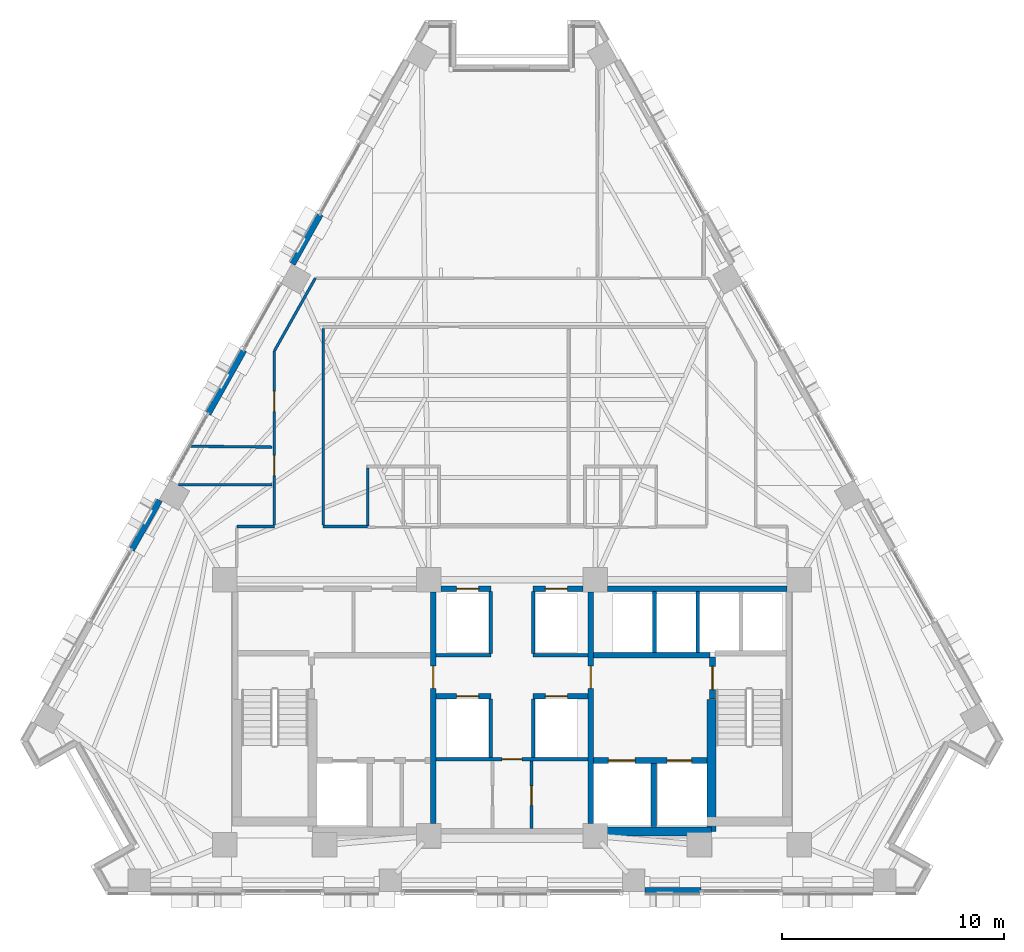
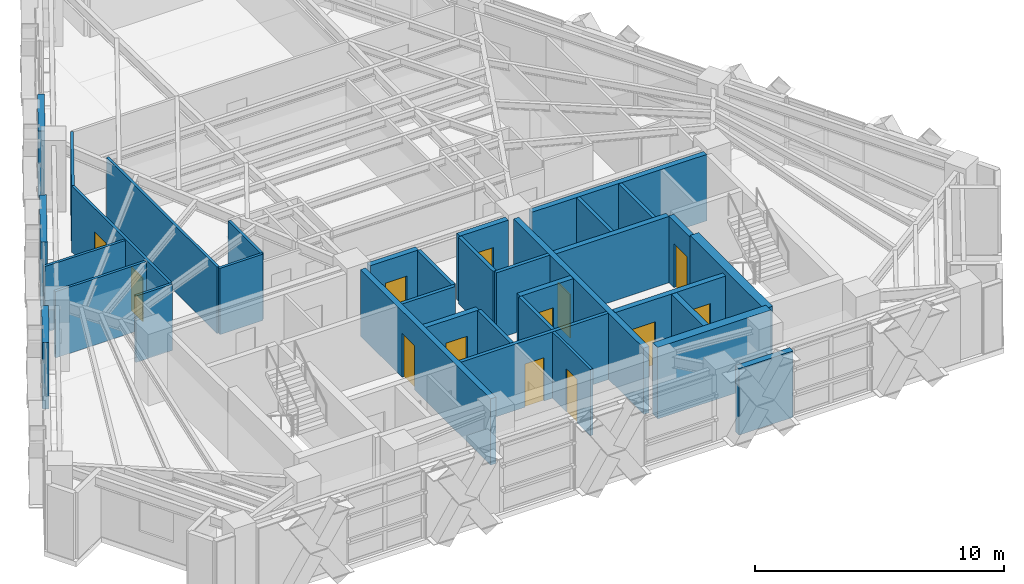
# One storey, part 8 of 14: 35 walls, 13 doors, 13 openings.
"""IFC4 building model written with IfcOpenShell, lengths in metres."""

from ifc_helpers import new_model, si_unit, direction, frame, frame_2d, origin, place, context, subcontext, project, spatial, rectangle, extrude, material, layer, layer_set, type_object, element, fill, save


model = new_model("IFC4")

# Units and contexts
model_context = context("Model", 3, precision=1e-05, world=origin(), true_north=direction((0.0, 1.0)))
body_context = subcontext(model_context, "Body", "Model", "MODEL_VIEW")
ifc_project = project(units=[si_unit("LENGTHUNIT", "METRE"), si_unit("AREAUNIT", "SQUARE_METRE"), si_unit("VOLUMEUNIT", "CUBIC_METRE"), si_unit("PLANEANGLEUNIT", "RADIAN"), si_unit("MASSUNIT", "GRAM", prefix="KILO")], contexts=[model_context])

# Site, building, storey
site_placement = place(None, origin())
site = spatial("IfcSite", under=ifc_project, at=site_placement, CompositionType="ELEMENT")
building_placement = place(site_placement, origin())
building = spatial("IfcBuilding", under=site, at=building_placement, Name="Quenlor Broadcast Tower", CompositionType="ELEMENT")
storey_placement = place(building_placement, frame((0.0, 0.0, 154.5)))
storey = spatial("IfcBuildingStorey", under=building, at=storey_placement, Name="L42", CompositionType="ELEMENT", Elevation=154.5)

# Walls
ifc_material_1 = material(Name="Concrete C50/60", Category="concrete")
ifc_layer_1 = layer(ifc_material_1, 0.39990234375)
ifc_layer_set_1 = layer_set([ifc_layer_1], Name="Core Concrete C50/60 Shear Wall 400")
wall_type_1 = type_object("IfcWallType", Name="Core Concrete C50/60 Shear Wall 400", PredefinedType="SHEAR", material=ifc_layer_set_1)
wall_1_placement = place(storey_placement, frame((3.75, -16.14990234375, 0.0), z_axis=(0.0, 0.0, 1.0), x_axis=(1.0, 0.0, 0.0)))
element("IfcWall", 1, at=wall_1_placement, inside=storey, type_object=wall_type_1, Name="L42 Core Shear Wall WS-E1", PredefinedType="SHEAR", context=body_context, shape_type="SweptSolid", body=[
    extrude(rectangle(XDim=5.25, YDim=0.39990234375, at=frame_2d((2.625, 0.0))), origin(), (0.0, 0.0, 1.0), 3.5),
])
wall_2_placement = place(storey_placement, frame((9.0, -16.14990234375, 0.0), z_axis=(0.0, 0.0, 1.0), x_axis=(0.0, 1.0, 0.0)))
element("IfcWall", 2, at=wall_2_placement, inside=storey, type_object=wall_type_1, Name="L42 Core Shear Wall WI-E", PredefinedType="SHEAR", context=body_context, shape_type="SweptSolid", body=[
    extrude(rectangle(XDim=5.949951171875, YDim=0.39990234375, at=frame_2d((2.97509765625, 0.0))), origin(), (0.0, 0.0, 1.0), 3.5),
])

# Wall, opening, door
ifc_material_2 = material(Name="Concrete C40/50", Category="concrete")
ifc_layer_2 = layer(ifc_material_2, 0.25)
ifc_layer_set_2 = layer_set([ifc_layer_2], Name="Fire Rated Concrete C40/50 Core Wall 250")
wall_type_2 = type_object("IfcWallType", Name="Fire Rated Concrete C40/50 Core Wall 250", PredefinedType="PARTITIONING", material=ifc_layer_set_2)
wall_3_placement = place(storey_placement, frame((9.0400390625, -10.179931640625, 0.0), z_axis=(0.0, 0.0, 1.0), x_axis=(0.0, 1.0, 0.0)))
wall_3 = element("IfcWall", 3, at=wall_3_placement, inside=storey, type_object=wall_type_2, Name="L42 Interior Wall CW-ST2-DR", PredefinedType="PARTITIONING", context=body_context, shape_type="SweptSolid", body=[
    extrude(rectangle(XDim=1.89990234375, YDim=0.25, at=frame_2d((0.949951171875, 0.0))), origin(), (0.0, 0.0, 1.0), 3.25),
])
opening_1_placement = place(wall_3_placement, frame((0.419921875, 0.0, 0.0)))
opening_1 = element("IfcOpeningElement", 4, at=opening_1_placement, cuts=wall_3, Name="Opening FD-1", PredefinedType="OPENING", context=body_context, shape_type="SweptSolid", body=[
    extrude(rectangle(XDim=1.050048828125, YDim=2.14990234375, at=frame_2d((0.52490234375, 1.074951171875))), frame((0.0, 0.135009765625, 0.0), z_axis=(0.0, -1.0, 0.0), x_axis=(1.0, 0.0, 0.0)), (0.0, 0.0, 1.0), 0.27001953125),
])
ifc_material_3 = material(Name="Fire Rated Steel Door Leaf", Category="steel")
door_type_1 = type_object("IfcDoorType", Name="Fire Isolated Stair Door 1050x2150", OperationType="NOTDEFINED", PredefinedType="DOOR", material=ifc_material_3)
door_1_placement = place(opening_1_placement, origin())
door_1 = element("IfcDoor", 5, at=door_1_placement, inside=storey, type_object=door_type_1, Name="L42 Door DR-ST2", OperationType="SINGLE_SWING_RIGHT", OverallHeight=2.14990234375, OverallWidth=1.050048828125, PredefinedType="DOOR", context=body_context, shape_type="SweptSolid", body=[
    extrude(rectangle(XDim=1.050048828125, YDim=2.14990234375, at=frame_2d((0.52490234375, 1.074951171875))), frame((0.0, 0.02490234375, 0.0), z_axis=(0.0, -1.0, 0.0), x_axis=(1.0, 0.0, 0.0)), (0.0, 0.0, 1.0), 0.050048828125),
])
fill(opening_1, door_1)

# Wall, openings, doors
wall_4_placement = place(storey_placement, frame((3.679931640625, -12.949951171875, 0.0), z_axis=(0.0, 0.0, 1.0), x_axis=(1.0, 0.0, 0.0)))
wall_4 = element("IfcWall", 6, at=wall_4_placement, inside=storey, type_object=wall_type_2, Name="L42 Interior Wall CW-FFE-S", PredefinedType="PARTITIONING", context=body_context, shape_type="SweptSolid", body=[
    extrude(rectangle(XDim=5.1181640625, YDim=0.25, at=frame_2d((2.55908203125, 0.0))), origin(), (0.0, 0.0, 1.0), 3.25),
])
opening_2_placement = place(wall_4_placement, frame((3.320068359375, 0.0, 0.0)))
opening_2 = element("IfcOpeningElement", 7, at=opening_2_placement, cuts=wall_4, Name="Opening LD-FFL-2", PredefinedType="OPENING", context=body_context, shape_type="SweptSolid", body=[
    extrude(rectangle(XDim=1.10009765625, YDim=2.14990234375, at=frame_2d((0.550048828125, 1.074951171875))), frame((0.0, 0.135009765625, 0.0), z_axis=(0.0, -1.0, 0.0), x_axis=(1.0, 0.0, 0.0)), (0.0, 0.0, 1.0), 0.27001953125),
])
opening_3_placement = place(wall_4_placement, frame((0.669921875, 0.0, 0.0)))
opening_3 = element("IfcOpeningElement", 8, at=opening_3_placement, cuts=wall_4, Name="Opening LD-SVL-1", PredefinedType="OPENING", context=body_context, shape_type="SweptSolid", body=[
    extrude(rectangle(XDim=1.199951171875, YDim=2.14990234375, at=frame_2d((0.60009765625, 1.074951171875))), frame((0.0, 0.135009765625, 0.0), z_axis=(0.0, -1.0, 0.0), x_axis=(1.0, 0.0, 0.0)), (0.0, 0.0, 1.0), 0.27001953125),
])
ifc_material_4 = material(Name="Brushed Stainless Steel", Category="steel")
door_type_2 = type_object("IfcDoorType", Name="Emergency Lift Sliding Landing Door 1100x2150", OperationType="NOTDEFINED", PredefinedType="DOOR", material=ifc_material_4)
door_2_placement = place(opening_2_placement, origin())
door_2 = element("IfcDoor", 9, at=door_2_placement, inside=storey, type_object=door_type_2, Name="L42 Door LD-FFL-2", OperationType="SLIDING_TO_RIGHT", OverallHeight=2.14990234375, OverallWidth=1.10009765625, PredefinedType="DOOR", context=body_context, shape_type="SweptSolid", body=[
    extrude(rectangle(XDim=1.10009765625, YDim=2.14990234375, at=frame_2d((0.550048828125, 1.074951171875))), frame((0.0, 0.02490234375, 0.0), z_axis=(0.0, -1.0, 0.0), x_axis=(1.0, 0.0, 0.0)), (0.0, 0.0, 1.0), 0.050048828125),
])
fill(opening_2, door_2)
ifc_material_5 = material(Name="Brushed Stainless Steel", Category="steel")
door_type_3 = type_object("IfcDoorType", Name="Goods Lift Sliding Landing Door 1200x2150", OperationType="NOTDEFINED", PredefinedType="DOOR", material=ifc_material_5)
door_3_placement = place(opening_3_placement, origin())
door_3 = element("IfcDoor", 10, at=door_3_placement, inside=storey, type_object=door_type_3, Name="L42 Door LD-SVL-1", OperationType="SLIDING_TO_LEFT", OverallHeight=2.14990234375, OverallWidth=1.199951171875, PredefinedType="DOOR", context=body_context, shape_type="SweptSolid", body=[
    extrude(rectangle(XDim=1.199951171875, YDim=2.14990234375, at=frame_2d((0.60009765625, 1.074951171875))), frame((0.0, 0.02490234375, 0.0), z_axis=(0.0, -1.0, 0.0), x_axis=(1.0, 0.0, 0.0)), (0.0, 0.0, 1.0), 0.050048828125),
])
fill(opening_3, door_3)

# Walls
wall_5_placement = place(storey_placement, frame((6.39990234375, -15.919921875, 0.0), z_axis=(0.0, 0.0, 1.0), x_axis=(0.0, 1.0, 0.0)))
element("IfcWall", 11, at=wall_5_placement, inside=storey, type_object=wall_type_2, Name="L42 Interior Wall CW-SV1-E", PredefinedType="PARTITIONING", context=body_context, shape_type="SweptSolid", body=[
    extrude(rectangle(XDim=2.829833984375, YDim=0.25, at=frame_2d((1.4150390625, 0.0))), origin(), (0.0, 0.0, 1.0), 3.25),
])
wall_6_placement = place(storey_placement, frame((3.679931640625, -8.199951171875, 0.0), z_axis=(0.0, 0.0, 1.0), x_axis=(1.0, 0.0, 0.0)))
element("IfcWall", 12, at=wall_6_placement, inside=storey, type_object=wall_type_2, Name="L42 Interior Wall CW-FFE-N", PredefinedType="PARTITIONING", context=body_context, shape_type="SweptSolid", body=[
    extrude(rectangle(XDim=5.239990234375, YDim=0.25, at=frame_2d((2.6201171875, 0.0))), origin(), (0.0, 0.0, 1.0), 3.25),
])

# Wall, opening, door
wall_7_placement = place(storey_placement, frame((-3.550048828125, -15.798095703125, 0.0), z_axis=(0.0, 0.0, 1.0), x_axis=(0.0, 1.0, 0.0)))
wall_7 = element("IfcWall", 13, at=wall_7_placement, inside=storey, type_object=wall_type_2, Name="L42 Interior Wall CW-FFW-E", PredefinedType="PARTITIONING", context=body_context, shape_type="SweptSolid", body=[
    extrude(rectangle(XDim=10.446044921875, YDim=0.25, at=frame_2d((5.22314453125, 0.0))), origin(), (0.0, 0.0, 1.0), 3.25),
])
opening_4_placement = place(wall_7_placement, frame((6.097900390625, 0.0, 0.0)))
opening_4 = element("IfcOpeningElement", 14, at=opening_4_placement, cuts=wall_7, Name="Opening FD-2", PredefinedType="OPENING", context=body_context, shape_type="SweptSolid", body=[
    extrude(rectangle(XDim=1.0, YDim=2.14990234375, at=frame_2d((0.5, 1.074951171875))), frame((0.0, 0.135009765625, 0.0), z_axis=(0.0, -1.0, 0.0), x_axis=(1.0, 0.0, 0.0)), (0.0, 0.0, 1.0), 0.27001953125),
])
ifc_material_6 = material(Name="Fire Rated Glazed Steel Door", Category="steel")
door_type_4 = type_object("IfcDoorType", Name="Firefighting Lobby Smoke Door 1000x2150", OperationType="NOTDEFINED", PredefinedType="DOOR", material=ifc_material_6)
door_4_placement = place(opening_4_placement, origin())
door_4 = element("IfcDoor", 15, at=door_4_placement, inside=storey, type_object=door_type_4, Name="L42 Door DR-FFLW", OperationType="SINGLE_SWING_RIGHT", OverallHeight=2.14990234375, OverallWidth=1.0, PredefinedType="DOOR", context=body_context, shape_type="SweptSolid", body=[
    extrude(rectangle(XDim=1.0, YDim=2.14990234375, at=frame_2d((0.5, 1.074951171875))), frame((0.0, 0.02490234375, 0.0), z_axis=(0.0, -1.0, 0.0), x_axis=(1.0, 0.0, 0.0)), (0.0, 0.0, 1.0), 0.050048828125),
])
fill(opening_4, door_4)

wall_8_placement = place(storey_placement, frame((3.550048828125, -15.798095703125, 0.0), z_axis=(0.0, 0.0, 1.0), x_axis=(0.0, 1.0, 0.0)))
wall_8 = element("IfcWall", 16, at=wall_8_placement, inside=storey, type_object=wall_type_2, Name="L42 Interior Wall CW-FFE-W", PredefinedType="PARTITIONING", context=body_context, shape_type="SweptSolid", body=[
    extrude(rectangle(XDim=10.446044921875, YDim=0.25, at=frame_2d((5.22314453125, 0.0))), origin(), (0.0, 0.0, 1.0), 3.25),
])
opening_5_placement = place(wall_8_placement, frame((6.097900390625, 0.0, 0.0)))
opening_5 = element("IfcOpeningElement", 17, at=opening_5_placement, cuts=wall_8, Name="Opening FD-2", PredefinedType="OPENING", context=body_context, shape_type="SweptSolid", body=[
    extrude(rectangle(XDim=1.0, YDim=2.14990234375, at=frame_2d((0.5, 1.074951171875))), frame((0.0, 0.135009765625, 0.0), z_axis=(0.0, -1.0, 0.0), x_axis=(1.0, 0.0, 0.0)), (0.0, 0.0, 1.0), 0.27001953125),
])
door_5_placement = place(opening_5_placement, origin())
door_5 = element("IfcDoor", 18, at=door_5_placement, inside=storey, type_object=door_type_4, Name="L42 Door DR-FFLE", OperationType="SINGLE_SWING_LEFT", OverallHeight=2.14990234375, OverallWidth=1.0, PredefinedType="DOOR", context=body_context, shape_type="SweptSolid", body=[
    extrude(rectangle(XDim=1.0, YDim=2.14990234375, at=frame_2d((0.5, 1.074951171875))), frame((0.0, 0.02490234375, 0.0), z_axis=(0.0, -1.0, 0.0), x_axis=(1.0, 0.0, 0.0)), (0.0, 0.0, 1.0), 0.050048828125),
])
fill(opening_5, door_5)

# Wall
wall_9_placement = place(storey_placement, frame((4.302001953125, -5.199951171875, 0.0), z_axis=(0.0, 0.0, 1.0), x_axis=(1.0, 0.0, 0.0)))
element("IfcWall", 19, at=wall_9_placement, inside=storey, type_object=wall_type_2, Name="L42 Interior Wall CW-N-E", PredefinedType="PARTITIONING", context=body_context, shape_type="SweptSolid", body=[
    extrude(rectangle(XDim=8.095947265625, YDim=0.25, at=frame_2d((4.0478515625, 0.0))), origin(), (0.0, 0.0, 1.0), 3.25),
])

# Wall, opening, door
wall_10_placement = place(storey_placement, frame((-3.197998046875, -5.199951171875, 0.0), z_axis=(0.0, 0.0, 1.0), x_axis=(1.0, 0.0, 0.0)))
wall_10 = element("IfcWall", 20, at=wall_10_placement, inside=storey, type_object=wall_type_2, Name="L42 Interior Wall CW-N-M1", PredefinedType="PARTITIONING", context=body_context, shape_type="SweptSolid", body=[
    extrude(rectangle(XDim=2.248046875, YDim=0.25, at=frame_2d((1.1240234375, 0.0))), origin(), (0.0, 0.0, 1.0), 3.25),
])
opening_6_placement = place(wall_10_placement, frame((0.697998046875, 0.0, 0.0)))
opening_6 = element("IfcOpeningElement", 21, at=opening_6_placement, cuts=wall_10, Name="Opening LD-PL-M1", PredefinedType="OPENING", context=body_context, shape_type="SweptSolid", body=[
    extrude(rectangle(XDim=1.0, YDim=2.14990234375, at=frame_2d((0.5, 1.074951171875))), frame((0.0, 0.135009765625, 0.0), z_axis=(0.0, -1.0, 0.0), x_axis=(1.0, 0.0, 0.0)), (0.0, 0.0, 1.0), 0.27001953125),
])
ifc_material_7 = material(Name="Brushed Stainless Steel", Category="steel")
door_type_5 = type_object("IfcDoorType", Name="Passenger Lift Sliding Landing Door 1000x2150", OperationType="NOTDEFINED", PredefinedType="DOOR", material=ifc_material_7)
door_6_placement = place(opening_6_placement, origin())
door_6 = element("IfcDoor", 22, at=door_6_placement, inside=storey, type_object=door_type_5, Name="L42 Door LD-PL-M1", OperationType="SLIDING_TO_LEFT", OverallHeight=2.14990234375, OverallWidth=1.0, PredefinedType="DOOR", context=body_context, shape_type="SweptSolid", body=[
    extrude(rectangle(XDim=1.0, YDim=2.14990234375, at=frame_2d((0.5, 1.074951171875))), frame((0.0, 0.02490234375, 0.0), z_axis=(0.0, -1.0, 0.0), x_axis=(1.0, 0.0, 0.0)), (0.0, 0.0, 1.0), 0.050048828125),
])
fill(opening_6, door_6)

wall_11_placement = place(storey_placement, frame((0.949951171875, -5.199951171875, 0.0), z_axis=(0.0, 0.0, 1.0), x_axis=(1.0, 0.0, 0.0)))
wall_11 = element("IfcWall", 23, at=wall_11_placement, inside=storey, type_object=wall_type_2, Name="L42 Interior Wall CW-N-M2", PredefinedType="PARTITIONING", context=body_context, shape_type="SweptSolid", body=[
    extrude(rectangle(XDim=2.248046875, YDim=0.25, at=frame_2d((1.1240234375, 0.0))), origin(), (0.0, 0.0, 1.0), 3.25),
])
opening_7_placement = place(wall_11_placement, frame((0.550048828125, 0.0, 0.0)))
opening_7 = element("IfcOpeningElement", 24, at=opening_7_placement, cuts=wall_11, Name="Opening LD-PL-M2", PredefinedType="OPENING", context=body_context, shape_type="SweptSolid", body=[
    extrude(rectangle(XDim=1.0, YDim=2.14990234375, at=frame_2d((0.5, 1.074951171875))), frame((0.0, 0.135009765625, 0.0), z_axis=(0.0, -1.0, 0.0), x_axis=(1.0, 0.0, 0.0)), (0.0, 0.0, 1.0), 0.27001953125),
])
door_7_placement = place(opening_7_placement, origin())
door_7 = element("IfcDoor", 25, at=door_7_placement, inside=storey, type_object=door_type_5, Name="L42 Door LD-PL-M2", OperationType="SLIDING_TO_RIGHT", OverallHeight=2.14990234375, OverallWidth=1.0, PredefinedType="DOOR", context=body_context, shape_type="SweptSolid", body=[
    extrude(rectangle(XDim=1.0, YDim=2.14990234375, at=frame_2d((0.5, 1.074951171875))), frame((0.0, 0.02490234375, 0.0), z_axis=(0.0, -1.0, 0.0), x_axis=(1.0, 0.0, 0.0)), (0.0, 0.0, 1.0), 0.050048828125),
])
fill(opening_7, door_7)

wall_12_placement = place(storey_placement, frame((-3.419921875, -10.050048828125, 0.0), z_axis=(0.0, 0.0, 1.0), x_axis=(1.0, 0.0, 0.0)))
wall_12 = element("IfcWall", 26, at=wall_12_placement, inside=storey, type_object=wall_type_2, Name="L42 Interior Wall CW-MS-N1", PredefinedType="PARTITIONING", context=body_context, shape_type="SweptSolid", body=[
    extrude(rectangle(XDim=2.469970703125, YDim=0.25, at=frame_2d((1.23486328125, 0.0))), origin(), (0.0, 0.0, 1.0), 3.25),
])
opening_8_placement = place(wall_12_placement, frame((0.919921875, 0.0, 0.0)))
opening_8 = element("IfcOpeningElement", 27, at=opening_8_placement, cuts=wall_12, Name="Opening LD-PL-M3", PredefinedType="OPENING", context=body_context, shape_type="SweptSolid", body=[
    extrude(rectangle(XDim=1.0, YDim=2.14990234375, at=frame_2d((0.5, 1.074951171875))), frame((0.0, 0.135009765625, 0.0), z_axis=(0.0, -1.0, 0.0), x_axis=(1.0, 0.0, 0.0)), (0.0, 0.0, 1.0), 0.27001953125),
])
door_8_placement = place(opening_8_placement, origin())
door_8 = element("IfcDoor", 28, at=door_8_placement, inside=storey, type_object=door_type_5, Name="L42 Door LD-PL-M3", OperationType="SLIDING_TO_LEFT", OverallHeight=2.14990234375, OverallWidth=1.0, PredefinedType="DOOR", context=body_context, shape_type="SweptSolid", body=[
    extrude(rectangle(XDim=1.0, YDim=2.14990234375, at=frame_2d((0.5, 1.074951171875))), frame((0.0, 0.02490234375, 0.0), z_axis=(0.0, -1.0, 0.0), x_axis=(1.0, 0.0, 0.0)), (0.0, 0.0, 1.0), 0.050048828125),
])
fill(opening_8, door_8)

wall_13_placement = place(storey_placement, frame((0.949951171875, -10.050048828125, 0.0), z_axis=(0.0, 0.0, 1.0), x_axis=(1.0, 0.0, 0.0)))
wall_13 = element("IfcWall", 29, at=wall_13_placement, inside=storey, type_object=wall_type_2, Name="L42 Interior Wall CW-MS-N2", PredefinedType="PARTITIONING", context=body_context, shape_type="SweptSolid", body=[
    extrude(rectangle(XDim=2.469970703125, YDim=0.25, at=frame_2d((1.23486328125, 0.0))), origin(), (0.0, 0.0, 1.0), 3.25),
])
opening_9_placement = place(wall_13_placement, frame((0.550048828125, 0.0, 0.0)))
opening_9 = element("IfcOpeningElement", 30, at=opening_9_placement, cuts=wall_13, Name="Opening LD-PL-M4", PredefinedType="OPENING", context=body_context, shape_type="SweptSolid", body=[
    extrude(rectangle(XDim=1.0, YDim=2.14990234375, at=frame_2d((0.5, 1.074951171875))), frame((0.0, 0.135009765625, 0.0), z_axis=(0.0, -1.0, 0.0), x_axis=(1.0, 0.0, 0.0)), (0.0, 0.0, 1.0), 0.27001953125),
])
door_9_placement = place(opening_9_placement, origin())
door_9 = element("IfcDoor", 31, at=door_9_placement, inside=storey, type_object=door_type_5, Name="L42 Door LD-PL-M4", OperationType="SLIDING_TO_RIGHT", OverallHeight=2.14990234375, OverallWidth=1.0, PredefinedType="DOOR", context=body_context, shape_type="SweptSolid", body=[
    extrude(rectangle(XDim=1.0, YDim=2.14990234375, at=frame_2d((0.5, 1.074951171875))), frame((0.0, 0.02490234375, 0.0), z_axis=(0.0, -1.0, 0.0), x_axis=(1.0, 0.0, 0.0)), (0.0, 0.0, 1.0), 0.050048828125),
])
fill(opening_9, door_9)

# Walls
ifc_material_8 = material(Name="Gypsum Fireboard Partition", Category="other")
ifc_layer_3 = layer(ifc_material_8, 0.159912109375)
ifc_layer_set_3 = layer_set([ifc_layer_3], Name="Fire Rated Shaft and Corridor Partition 160")
wall_type_3 = type_object("IfcWallType", Name="Fire Rated Shaft and Corridor Partition 160", PredefinedType="PARTITIONING", material=ifc_layer_set_3)
for number, where, z_axis, x_axis, name in (
    (32, (6.425048828125, -8.072998046875, 0.0), (0.0, 0.0, 1.0), (0.0, 1.0, 0.0), "L42 Interior Wall CW-PLH-D1"),
    (33, (8.375, -8.072998046875, 0.0), (0.0, 0.0, 1.0), (0.0, 1.0, 0.0), "L42 Interior Wall CW-PLH-D2"),
):
    element("IfcWall", number, at=place(storey_placement, frame(where, z_axis=z_axis, x_axis=x_axis)), inside=storey, type_object=wall_type_3, Name=name, PredefinedType="PARTITIONING", context=body_context, shape_type="SweptSolid", body=[
        extrude(rectangle(XDim=2.73291015625, YDim=0.159912109375, at=frame_2d((1.366455078125, 0.0))), origin(), (0.0, 0.0, 1.0), 3.25),
    ])
for number, where, z_axis, x_axis, name in (
    (34, (-0.949951171875, -8.1201171875, 0.0), (0.0, 0.0, 1.0), (0.0, 1.0, 0.0), "L42 Interior Wall CW-CCRP-W"),
    (35, (0.949951171875, -8.1201171875, 0.0), (0.0, 0.0, 1.0), (0.0, 1.0, 0.0), "L42 Interior Wall CW-CCRP-E"),
):
    element("IfcWall", number, at=place(storey_placement, frame(where, z_axis=z_axis, x_axis=x_axis)), inside=storey, type_object=wall_type_3, Name=name, PredefinedType="PARTITIONING", context=body_context, shape_type="SweptSolid", body=[
        extrude(rectangle(XDim=2.780029296875, YDim=0.159912109375, at=frame_2d((1.39013671875, 0.0))), origin(), (0.0, 0.0, 1.0), 3.25),
    ])
for number, where, z_axis, x_axis, name in (
    (36, (-3.419921875, -8.199951171875, 0.0), (0.0, 0.0, 1.0), (1.0, 0.0, 0.0), "L42 Interior Wall CW-M-BACK1"),
    (37, (0.949951171875, -8.199951171875, 0.0), (0.0, 0.0, 1.0), (1.0, 0.0, 0.0), "L42 Interior Wall CW-M-BACK2"),
):
    element("IfcWall", number, at=place(storey_placement, frame(where, z_axis=z_axis, x_axis=x_axis)), inside=storey, type_object=wall_type_3, Name=name, PredefinedType="PARTITIONING", context=body_context, shape_type="SweptSolid", body=[
        extrude(rectangle(XDim=2.469970703125, YDim=0.159912109375, at=frame_2d((1.23486328125, 0.0))), origin(), (0.0, 0.0, 1.0), 3.25),
    ])

# Wall, opening, door
wall_14_placement = place(storey_placement, frame((-3.419921875, -12.89990234375, 0.0), z_axis=(0.0, 0.0, 1.0), x_axis=(1.0, 0.0, 0.0)))
wall_14 = element("IfcWall", 38, at=wall_14_placement, inside=storey, type_object=wall_type_3, Name="L42 Interior Wall CW-MS-B", PredefinedType="PARTITIONING", context=body_context, shape_type="SweptSolid", body=[
    extrude(rectangle(XDim=6.83984375, YDim=0.159912109375, at=frame_2d((3.419921875, 0.0))), origin(), (0.0, 0.0, 1.0), 3.25),
])
opening_10_placement = place(wall_14_placement, frame((2.97998046875, 0.0, 0.0)))
opening_10 = element("IfcOpeningElement", 39, at=opening_10_placement, cuts=wall_14, Name="Opening ID-4", PredefinedType="OPENING", context=body_context, shape_type="SweptSolid", body=[
    extrude(rectangle(XDim=0.8798828125, YDim=2.1201171875, at=frame_2d((0.43994140625, 1.06005859375))), frame((0.0, 0.08984375, 0.0), z_axis=(0.0, -1.0, 0.0), x_axis=(1.0, 0.0, 0.0)), (0.0, 0.0, 1.0), 0.179931640625),
])
ifc_material_9 = material(Name="Solid Core Timber Oak", Category="wood")
door_type_6 = type_object("IfcDoorType", Name="Service Closet Timber Door 880x2120", OperationType="NOTDEFINED", PredefinedType="DOOR", material=ifc_material_9)
door_10_placement = place(opening_10_placement, origin())
door_10 = element("IfcDoor", 40, at=door_10_placement, inside=storey, type_object=door_type_6, Name="L42 Door DR-CSV0", OperationType="SINGLE_SWING_LEFT", OverallHeight=2.1201171875, OverallWidth=0.8798828125, PredefinedType="DOOR", context=body_context, shape_type="SweptSolid", body=[
    extrude(rectangle(XDim=0.8798828125, YDim=2.1201171875, at=frame_2d((0.43994140625, 1.06005859375))), frame((0.0, 0.02490234375, 0.0), z_axis=(0.0, -1.0, 0.0), x_axis=(1.0, 0.0, 0.0)), (0.0, 0.0, 1.0), 0.050048828125),
])
fill(opening_10, door_10)

# Walls
for number, where, z_axis, x_axis, name in (
    (41, (-0.949951171875, -12.818115234375, 0.0), (0.0, 0.0, 1.0), (0.0, 1.0, 0.0), "L42 Interior Wall CW-MS-W"),
    (42, (0.949951171875, -12.818115234375, 0.0), (0.0, 0.0, 1.0), (0.0, 1.0, 0.0), "L42 Interior Wall CW-MS-E"),
):
    element("IfcWall", number, at=place(storey_placement, frame(where, z_axis=z_axis, x_axis=x_axis)), inside=storey, type_object=wall_type_3, Name=name, PredefinedType="PARTITIONING", context=body_context, shape_type="SweptSolid", body=[
        extrude(rectangle(XDim=2.63818359375, YDim=0.159912109375, at=frame_2d((1.319091796875, 0.0))), origin(), (0.0, 0.0, 1.0), 3.25),
    ])

# Wall, opening, door
ifc_material_10 = material(Name="Gypsum Plasterboard Partition", Category="other")
ifc_layer_4 = layer(ifc_material_10, 0.1201171875)
ifc_layer_set_4 = layer_set([ifc_layer_4], Name="Standard Office Partition 120")
wall_type_4 = type_object("IfcWallType", Name="Standard Office Partition 120", PredefinedType="PARTITIONING", material=ifc_layer_set_4)
wall_15_placement = place(storey_placement, frame((0.8798828125, -16.02001953125, 0.0), z_axis=(0.0, 0.0, 1.0), x_axis=(0.0, 1.0, 0.0)))
wall_15 = element("IfcWall", 43, at=wall_15_placement, inside=storey, type_object=wall_type_4, Name="L42 Interior Wall CW-CSV-E3", PredefinedType="PARTITIONING", context=body_context, shape_type="SweptSolid", body=[
    extrude(rectangle(XDim=3.0380859375, YDim=0.1201171875, at=frame_2d((1.51904296875, 0.0))), origin(), (0.0, 0.0, 1.0), 3.25),
])
opening_11_placement = place(wall_15_placement, frame((1.050048828125, 0.0, 0.0)))
opening_11 = element("IfcOpeningElement", 44, at=opening_11_placement, cuts=wall_15, Name="Opening ID-4", PredefinedType="OPENING", context=body_context, shape_type="SweptSolid", body=[
    extrude(rectangle(XDim=0.8798828125, YDim=2.1201171875, at=frame_2d((0.43994140625, 1.06005859375))), frame((0.0, 0.070068359375, 0.0), z_axis=(0.0, -1.0, 0.0), x_axis=(1.0, 0.0, 0.0)), (0.0, 0.0, 1.0), 0.14013671875),
])
door_11_placement = place(opening_11_placement, origin())
door_11 = element("IfcDoor", 45, at=door_11_placement, inside=storey, type_object=door_type_6, Name="L42 Door DR-CSV2", OperationType="SINGLE_SWING_RIGHT", OverallHeight=2.1201171875, OverallWidth=0.8798828125, PredefinedType="DOOR", context=body_context, shape_type="SweptSolid", body=[
    extrude(rectangle(XDim=0.8798828125, YDim=2.1201171875, at=frame_2d((0.43994140625, 1.06005859375))), frame((0.0, 0.02490234375, 0.0), z_axis=(0.0, -1.0, 0.0), x_axis=(1.0, 0.0, 0.0)), (0.0, 0.0, 1.0), 0.050048828125),
])
fill(opening_11, door_11)

# Walls
wall_16_placement = place(storey_placement, frame((-6.510009765625, -2.3779296875, 0.0), z_axis=(0.0, 0.0, 1.0), x_axis=(0.0, 1.0, 0.0)))
element("IfcWall", 46, at=wall_16_placement, inside=storey, type_object=wall_type_4, Name="L42 Interior Wall PW-WCW-W", PredefinedType="PARTITIONING", context=body_context, shape_type="SweptSolid", body=[
    extrude(rectangle(XDim=2.6259765625, YDim=0.1201171875, at=frame_2d((1.31298828125, 0.0))), origin(), (0.0, 0.0, 1.0), 3.25),
])
wall_17_placement = place(storey_placement, frame((-12.409912109375, -2.39990234375, 0.0), z_axis=(0.0, 0.0, 1.0), x_axis=(1.0, 0.0, 0.0)))
element("IfcWall", 47, at=wall_17_placement, inside=storey, type_object=wall_type_4, Name="L42 Interior Wall PW-CR-01", PredefinedType="PARTITIONING", context=body_context, shape_type="SweptSolid", body=[
    extrude(rectangle(XDim=1.69482421875, YDim=0.1201171875, at=frame_2d((0.847412109375, 0.0))), origin(), (0.0, 0.0, 1.0), 3.25),
])

# Wall, openings, doors
wall_18_placement = place(storey_placement, frame((-10.715087890625, -2.337890625, 0.0), z_axis=(0.0, 0.0, 1.0), x_axis=(0.0, 1.0, 0.0)))
wall_18 = element("IfcWall", 48, at=wall_18_placement, inside=storey, type_object=wall_type_4, Name="L42 Interior Wall PW-CR-02", PredefinedType="PARTITIONING", context=body_context, shape_type="SweptSolid", body=[
    extrude(rectangle(XDim=7.853759765625, YDim=0.1201171875, at=frame_2d((3.9267578125, 0.0))), origin(), (0.0, 0.0, 1.0), 3.25),
])
opening_12_placement = place(wall_18_placement, frame((5.116943359375, 0.0, 0.0)))
opening_12 = element("IfcOpeningElement", 49, at=opening_12_placement, cuts=wall_18, Name="Opening ID-1", PredefinedType="OPENING", context=body_context, shape_type="SweptSolid", body=[
    extrude(rectangle(XDim=0.919921875, YDim=2.1201171875, at=frame_2d((0.4599609375, 1.06005859375))), frame((0.0, 0.070068359375, 0.0), z_axis=(0.0, -1.0, 0.0), x_axis=(1.0, 0.0, 0.0)), (0.0, 0.0, 1.0), 0.14013671875),
])
opening_13_placement = place(wall_18_placement, frame((2.22802734375, 0.0, 0.0)))
opening_13 = element("IfcOpeningElement", 50, at=opening_13_placement, cuts=wall_18, Name="Opening ID-1", PredefinedType="OPENING", context=body_context, shape_type="SweptSolid", body=[
    extrude(rectangle(XDim=0.919921875, YDim=2.1201171875, at=frame_2d((0.4599609375, 1.06005859375))), frame((0.0, 0.070068359375, 0.0), z_axis=(0.0, -1.0, 0.0), x_axis=(1.0, 0.0, 0.0)), (0.0, 0.0, 1.0), 0.14013671875),
])
ifc_material_11 = material(Name="Solid Core Timber Oak", Category="wood")
door_type_7 = type_object("IfcDoorType", Name="Single Leaf Timber Office Door 920x2120", OperationType="NOTDEFINED", PredefinedType="DOOR", material=ifc_material_11)
door_12_placement = place(opening_12_placement, origin())
door_12 = element("IfcDoor", 51, at=door_12_placement, inside=storey, type_object=door_type_7, Name="L42 Door DR-RM04", OperationType="SINGLE_SWING_RIGHT", OverallHeight=2.1201171875, OverallWidth=0.919921875, PredefinedType="DOOR", context=body_context, shape_type="SweptSolid", body=[
    extrude(rectangle(XDim=0.919921875, YDim=2.1201171875, at=frame_2d((0.4599609375, 1.06005859375))), frame((0.0, 0.02490234375, 0.0), z_axis=(0.0, -1.0, 0.0), x_axis=(1.0, 0.0, 0.0)), (0.0, 0.0, 1.0), 0.050048828125),
])
fill(opening_12, door_12)
door_13_placement = place(opening_13_placement, origin())
door_13 = element("IfcDoor", 52, at=door_13_placement, inside=storey, type_object=door_type_7, Name="L42 Door DR-RM07", OperationType="SINGLE_SWING_LEFT", OverallHeight=2.1201171875, OverallWidth=0.919921875, PredefinedType="DOOR", context=body_context, shape_type="SweptSolid", body=[
    extrude(rectangle(XDim=0.919921875, YDim=2.1201171875, at=frame_2d((0.4599609375, 1.06005859375))), frame((0.0, 0.02490234375, 0.0), z_axis=(0.0, -1.0, 0.0), x_axis=(1.0, 0.0, 0.0)), (0.0, 0.0, 1.0), 0.050048828125),
])
fill(opening_13, door_13)

# Walls
wall_19_placement = place(storey_placement, frame((-10.7138671875, 5.517822265625, 0.0), z_axis=(0.0, 0.0, 1.0), x_axis=(0.490248927543, 0.871582462561, 0.0)))
element("IfcWall", 53, at=wall_19_placement, inside=storey, type_object=wall_type_4, Name="L42 Interior Wall PW-CR-03", PredefinedType="PARTITIONING", context=body_context, shape_type="SweptSolid", body=[
    extrude(rectangle(XDim=3.765869140625, YDim=0.1201171875, at=frame_2d((1.8828125, 0.0))), origin(), (0.0, 0.0, 1.0), 3.25),
])
wall_20_placement = place(storey_placement, frame((-8.514892578125, -2.39990234375, 0.0), z_axis=(0.0, 0.0, 1.0), x_axis=(1.0, 0.0, 0.0)))
element("IfcWall", 54, at=wall_20_placement, inside=storey, type_object=wall_type_4, Name="L42 Interior Wall PW-CR-10", PredefinedType="PARTITIONING", context=body_context, shape_type="SweptSolid", body=[
    extrude(rectangle(XDim=2.0029296875, YDim=0.1201171875, at=frame_2d((1.00146484375, 0.0))), origin(), (0.0, 0.0, 1.0), 3.25),
])
wall_21_placement = place(storey_placement, frame((-8.514892578125, 6.5380859375, 0.0), z_axis=(0.0, 0.0, 1.0), x_axis=(0.0, -1.0, 0.0)))
element("IfcWall", 55, at=wall_21_placement, inside=storey, type_object=wall_type_4, Name="L42 Interior Wall PW-CR-13", PredefinedType="PARTITIONING", context=body_context, shape_type="SweptSolid", body=[
    extrude(rectangle(XDim=8.8759765625, YDim=0.1201171875, at=frame_2d((4.43798828125, 0.0))), origin(), (0.0, 0.0, 1.0), 3.25),
])
wall_22_placement = place(storey_placement, frame((-10.824951171875, 1.181640625, 0.0), z_axis=(0.0, 0.0, 1.0), x_axis=(-0.999943044741, 0.010672735093, 0.0)))
element("IfcWall", 56, at=wall_22_placement, inside=storey, type_object=wall_type_4, Name="L42 Interior Wall PW-DV-03", PredefinedType="PARTITIONING", context=body_context, shape_type="SweptSolid", body=[
    extrude(rectangle(XDim=3.705810546875, YDim=0.1201171875, at=frame_2d((1.85302734375, 0.0))), origin(), (0.0, 0.0, 1.0), 3.25),
])
wall_23_placement = place(storey_placement, frame((-10.824951171875, -0.520263671875, 0.0), z_axis=(0.0, 0.0, 1.0), x_axis=(-1.0, 0.0, 0.0)))
element("IfcWall", 57, at=wall_23_placement, inside=storey, type_object=wall_type_4, Name="L42 Interior Wall PW-DV-05", PredefinedType="PARTITIONING", context=body_context, shape_type="SweptSolid", body=[
    extrude(rectangle(XDim=4.21142578125, YDim=0.1201171875, at=frame_2d((2.105712890625, 0.0))), origin(), (0.0, 0.0, 1.0), 3.25),
])
ifc_material_12 = material(Name="Precast concrete C40/50", Category="concrete")
ifc_layer_5 = layer(ifc_material_12, 0.280029296875)
ifc_layer_set_5 = layer_set([ifc_layer_5], Name="Terracotta Precast Concrete C40/50 Facade Wall 280")
wall_type_5 = type_object("IfcWallType", Name="Terracotta Precast Concrete C40/50 Facade Wall 280", PredefinedType="STANDARD", material=ifc_layer_set_5)
wall_24_placement = place(storey_placement, frame((8.514892578125, -18.824951171875, 0.0), z_axis=(0.0, 0.0, 1.0), x_axis=(-1.0, 0.0, 0.0)))
element("IfcWall", 58, at=wall_24_placement, inside=storey, type_object=wall_type_5, Name="L42 Exterior Wall L42-SA-SP2", PredefinedType="STANDARD", context=body_context, shape_type="SweptSolid", body=[
    extrude(rectangle(XDim=2.5087890625, YDim=0.280029296875, at=frame_2d((1.25439453125, 0.0))), origin(), (0.0, 0.0, 1.0), 3.25),
])
for number, where, z_axis, x_axis, name in (
    (59, (-17.154296875, -3.453369140625, 0.0), (0.0, 0.0, 1.0), (0.490229640206, 0.871593311048, 0.0), "L42 Exterior Wall L42-NWA-SP2"),
    (60, (-9.899658203125, 9.44384765625, 0.0), (0.0, 0.0, 1.0), (0.490301864627, 0.871552684319, 0.0), "L42 Exterior Wall L42-NWC-SP1"),
):
    element("IfcWall", number, at=place(storey_placement, frame(where, z_axis=z_axis, x_axis=x_axis)), inside=storey, type_object=wall_type_5, Name=name, PredefinedType="STANDARD", context=body_context, shape_type="SweptSolid", body=[
        extrude(rectangle(XDim=2.56787109375, YDim=0.280029296875, at=frame_2d((1.283935546875, 0.0))), origin(), (0.0, 0.0, 1.0), 3.25),
    ])
wall_25_placement = place(storey_placement, frame((-13.706298828125, 2.676513671875, 0.0), z_axis=(0.0, 0.0, 1.0), x_axis=(0.490285834707, 0.871561701938, 0.0)))
element("IfcWall", 61, at=wall_25_placement, inside=storey, type_object=wall_type_5, Name="L42 Exterior Wall L42-NW-SP1", PredefinedType="STANDARD", context=body_context, shape_type="SweptSolid", body=[
    extrude(rectangle(XDim=3.299072265625, YDim=0.280029296875, at=frame_2d((1.6494140625, 0.0))), origin(), (0.0, 0.0, 1.0), 3.25),
])

save(model, "model.ifc")
